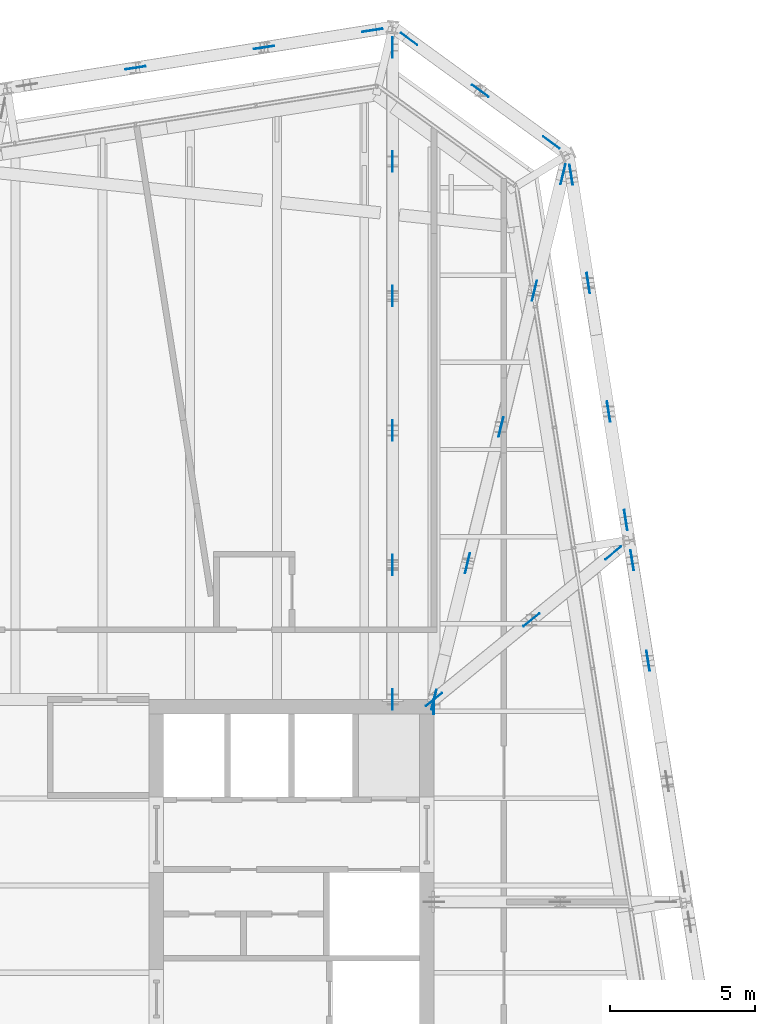
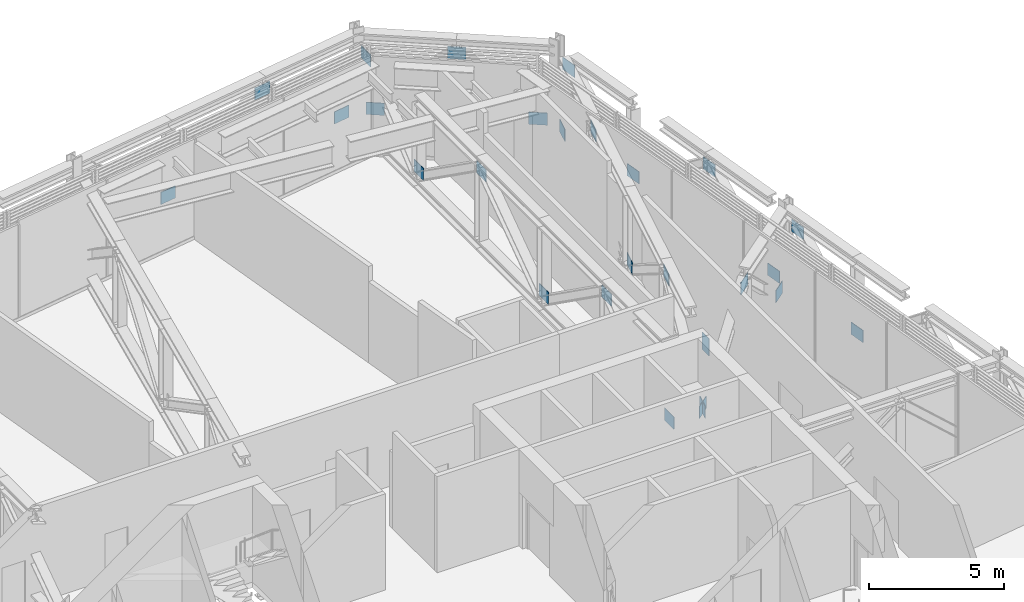
# One storey, part 30 of 32: 27 discrete accessories.
"""IFC4 building model written with IfcOpenShell, lengths in metres."""

from ifc_helpers import new_model, si_unit, direction, frame, origin, origin_2d, place, context, subcontext, project, spatial, rectangle, extrude, material, layer, layer_set, type_object, element, save


model = new_model("IFC4")

# Units and contexts
model_context = context("Model", 3, precision=1e-05, world=origin(), true_north=direction((0.0, 1.0)))
body_context = subcontext(model_context, "Body", "Model", "MODEL_VIEW")
ifc_project = project(units=[si_unit("LENGTHUNIT", "METRE"), si_unit("AREAUNIT", "SQUARE_METRE"), si_unit("VOLUMEUNIT", "CUBIC_METRE"), si_unit("PLANEANGLEUNIT", "RADIAN"), si_unit("MASSUNIT", "GRAM", prefix="KILO")], contexts=[model_context])

# Site, building, storey
site_placement = place(None, origin())
site = spatial("IfcSite", under=ifc_project, at=site_placement, CompositionType="ELEMENT")
building_placement = place(site_placement, origin())
building = spatial("IfcBuilding", under=site, at=building_placement, Name="Millrace Tower", CompositionType="ELEMENT")
storey_placement = place(building_placement, frame((0.0, 0.0, 266.89990234375)))
storey = spatial("IfcBuildingStorey", under=building, at=storey_placement, Name="L61", CompositionType="ELEMENT", Elevation=266.89990234375)

# Discrete accessories
ifc_material_1 = material(Name="Steel ASTM A572 Grade 50", Category="steel")
ifc_layer_1 = layer(ifc_material_1, 0.02490234375)
ifc_layer_set_1 = layer_set([ifc_layer_1], Name="Steel ASTM A572 Grade 50")
discrete_accessory_type_1 = type_object("IfcDiscreteAccessoryType", Name="Cast-in anchor plate 500x780x25", PredefinedType="ANCHORPLATE", material=ifc_layer_set_1)
discrete_accessory_1_placement = place(storey_placement, frame((14.375, 9.14990234375, 3.76513671875), z_axis=(1.0, 0.0, 0.0), x_axis=(0.0, 1.0, 0.0)))
element("IfcDiscreteAccessory", 1, at=discrete_accessory_1_placement, inside=storey, type_object=discrete_accessory_type_1, Name="Cast-in anchor plate BLT-L61-O08-V00", PredefinedType="ANCHORPLATE", context=body_context, shape_type="SweptSolid", body=[
    extrude(rectangle(XDim=0.5, YDim=0.780029296875, at=origin_2d()), origin(), (0.0, 0.0, 1.0), 0.02490234375),
])
ifc_material_2 = material(Name="Steel ASTM A572 Grade 50", Category="steel")
ifc_layer_2 = layer(ifc_material_2, 0.02490234375)
ifc_layer_set_2 = layer_set([ifc_layer_2], Name="Steel ASTM A572 Grade 50")
discrete_accessory_type_2 = type_object("IfcDiscreteAccessoryType", Name="Truss gusset plate 700x550x25", PredefinedType="BRACKET", material=ifc_layer_set_2)
for number, where, z_axis, x_axis, name in (
    (2, (21.708984375, 11.080810546875, 0.75), (0.156249124184, -0.987717677878, 0.0), (0.987717677878, 0.156249124184, 0.0), "Truss gusset plate BLT-L61-R07-D02 foot"),
    (3, (21.161376953125, 14.53759765625, 3.489990234375), (0.156589351913, -0.987663796475, 0.0), (0.987663796475, 0.156589351913, 0.0), "Truss gusset plate BLT-L61-R07-D03 head"),
    (4, (20.9423828125, 15.92041015625, 0.75), (0.156589351913, -0.987663796475, 0.0), (0.987663796475, 0.156589351913, 0.0), "Truss gusset plate BLT-L61-R08-D01 foot"),
    (5, (20.351806640625, 19.64990234375, 3.489990234375), (0.156249124184, -0.987717677878, 0.0), (0.987717677878, 0.156249124184, 0.0), "Truss gusset plate BLT-L61-R08-D01 head"),
    (6, (19.651611328125, 24.071044921875, 0.75), (0.156249124184, -0.987717677878, 0.0), (0.987717677878, 0.156249124184, 0.0), "Truss gusset plate BLT-L61-R08-D02 foot"),
    (7, (19.060791015625, 27.80078125, 3.489990234375), (0.156589351913, -0.987663796475, 0.0), (0.987663796475, 0.156589351913, 0.0), "Truss gusset plate BLT-L61-R08-D03 head"),
):
    element("IfcDiscreteAccessory", number, at=place(storey_placement, frame(where, z_axis=z_axis, x_axis=x_axis)), inside=storey, type_object=discrete_accessory_type_2, Name=name, PredefinedType="BRACKET", context=body_context, shape_type="SweptSolid", body=[
        extrude(rectangle(XDim=0.02490234375, YDim=0.550048828125, at=origin_2d()), origin(), (0.0, 0.0, 1.0), 0.699951171875),
    ])
discrete_accessory_2_placement = place(storey_placement, frame((18.156494140625, 28.763671875, 0.75), z_axis=(0.80894712746, -0.587881403835, 0.0), x_axis=(0.587881403835, 0.80894712746, 0.0)))
element("IfcDiscreteAccessory", 8, at=discrete_accessory_2_placement, inside=storey, type_object=discrete_accessory_type_2, Name="Truss gusset plate BLT-L61-R09-D01 foot", PredefinedType="BRACKET", context=body_context, shape_type="SweptSolid", body=[
    extrude(rectangle(XDim=0.02490234375, YDim=0.550048828125, at=origin_2d()), origin(), (0.0, 0.0, 1.0), 0.7001953125),
])
discrete_accessory_3_placement = place(storey_placement, frame((15.707275390625, 30.543212890625, 3.489990234375), z_axis=(0.808826569644, -0.588047260207, 0.0), x_axis=(0.588047260207, 0.808826569644, 0.0)))
element("IfcDiscreteAccessory", 9, at=discrete_accessory_3_placement, inside=storey, type_object=discrete_accessory_type_2, Name="Truss gusset plate BLT-L61-R09-D01 head", PredefinedType="BRACKET", context=body_context, shape_type="SweptSolid", body=[
    extrude(rectangle(XDim=0.02490234375, YDim=0.550048828125, at=origin_2d()), origin(), (0.0, 0.0, 1.0), 0.699951171875),
])
discrete_accessory_4_placement = place(storey_placement, frame((13.2578125, 32.32275390625, 0.75), z_axis=(0.80894712746, -0.587881403835, 0.0), x_axis=(0.587881403835, 0.80894712746, 0.0)))
element("IfcDiscreteAccessory", 10, at=discrete_accessory_4_placement, inside=storey, type_object=discrete_accessory_type_2, Name="Truss gusset plate BLT-L61-R09-D02 foot", PredefinedType="BRACKET", context=body_context, shape_type="SweptSolid", body=[
    extrude(rectangle(XDim=0.02490234375, YDim=0.550048828125, at=origin_2d()), origin(), (0.0, 0.0, 1.0), 0.7001953125),
])
for number, where, z_axis, x_axis, name in (
    (11, (11.9375, 32.3642578125, 0.75), (0.987717677878, 0.156249124184, 0.0), (-0.156249124184, 0.987717677878, 0.0), "Truss gusset plate BLT-L61-R10-D01 foot"),
    (12, (8.2080078125, 31.7734375, 3.489990234375), (0.987717677878, 0.156249124184, 0.0), (-0.156249124184, 0.987717677878, 0.0), "Truss gusset plate BLT-L61-R10-D01 head"),
    (13, (3.786865234375, 31.0732421875, 0.75), (0.987717677878, 0.156249124184, 0.0), (-0.156249124184, 0.987717677878, 0.0), "Truss gusset plate BLT-L61-R10-D02 foot"),
):
    element("IfcDiscreteAccessory", number, at=place(storey_placement, frame(where, z_axis=z_axis, x_axis=x_axis)), inside=storey, type_object=discrete_accessory_type_2, Name=name, PredefinedType="BRACKET", context=body_context, shape_type="SweptSolid", body=[
        extrude(rectangle(XDim=0.02490234375, YDim=0.550048828125, at=origin_2d()), origin(), (0.0, 0.0, 1.0), 0.699951171875),
    ])
for number, where, z_axis, x_axis, name in (
    (14, (14.12890625, 9.178466796875, 0.75), (0.774190311834, 0.632952890081, 0.0), (-0.632952890081, 0.774190311834, 0.0), "Truss gusset plate BLT-L61-O08-D01 foot"),
    (15, (17.482421875, 11.920166015625, 3.489990234375), (0.774190311834, 0.632952890081, 0.0), (-0.632952890081, 0.774190311834, 0.0), "Truss gusset plate BLT-L61-O08-D01 head"),
    (16, (20.293701171875, 14.21875, 0.75), (0.774190311834, 0.632952890081, 0.0), (-0.632952890081, 0.774190311834, 0.0), "Truss gusset plate BLT-L61-O08-D02 foot"),
    (17, (14.31640625, 9.06005859375, 0.75), (0.238513196177, 0.971139256363, 0.0), (-0.971139256363, 0.238513196177, 0.0), "Truss gusset plate BLT-L61-O09-D01 foot"),
    (18, (15.468017578125, 13.74658203125, 3.489990234375), (0.238513196177, 0.971139256363, 0.0), (-0.971139256363, 0.238513196177, 0.0), "Truss gusset plate BLT-L61-O09-D01 head"),
):
    element("IfcDiscreteAccessory", number, at=place(storey_placement, frame(where, z_axis=z_axis, x_axis=x_axis)), inside=storey, type_object=discrete_accessory_type_2, Name=name, PredefinedType="BRACKET", context=body_context, shape_type="SweptSolid", body=[
        extrude(rectangle(XDim=0.02490234375, YDim=0.550048828125, at=origin_2d()), origin(), (0.0, 0.0, 1.0), 0.7001953125),
    ])
discrete_accessory_5_placement = place(storey_placement, frame((16.619384765625, 18.433349609375, 0.75), z_axis=(0.238922915883, 0.971038536962, 0.0), x_axis=(-0.971038536962, 0.238922915883, 0.0)))
element("IfcDiscreteAccessory", 19, at=discrete_accessory_5_placement, inside=storey, type_object=discrete_accessory_type_2, Name="Truss gusset plate BLT-L61-O09-D02 foot", PredefinedType="BRACKET", context=body_context, shape_type="SweptSolid", body=[
    extrude(rectangle(XDim=0.02490234375, YDim=0.550048828125, at=origin_2d()), origin(), (0.0, 0.0, 1.0), 0.699951171875),
])
discrete_accessory_6_placement = place(storey_placement, frame((17.77099609375, 23.119873046875, 3.489990234375), z_axis=(0.238513196177, 0.971139256363, 0.0), x_axis=(-0.971139256363, 0.238513196177, 0.0)))
element("IfcDiscreteAccessory", 20, at=discrete_accessory_6_placement, inside=storey, type_object=discrete_accessory_type_2, Name="Truss gusset plate BLT-L61-O09-D03 head", PredefinedType="BRACKET", context=body_context, shape_type="SweptSolid", body=[
    extrude(rectangle(XDim=0.02490234375, YDim=0.550048828125, at=origin_2d()), origin(), (0.0, 0.0, 1.0), 0.7001953125),
])
for number, where, z_axis, x_axis, name in (
    (21, (18.755615234375, 27.126708984375, 0.75), (0.23859399274, 0.971119409047, 0.0), (-0.971119409047, 0.23859399274, 0.0), "Truss gusset plate BLT-L61-O09-D04 foot"),
    (22, (12.974609375, 9.050048828125, 0.75), (0.0, 1.0, 0.0), (-1.0, 0.0, 0.0), "Truss gusset plate BLT-L61-O10-D01 foot"),
    (23, (12.974609375, 13.67578125, 3.489990234375), (0.0, 1.0, 0.0), (-1.0, 0.0, 0.0), "Truss gusset plate BLT-L61-O10-D01 head"),
    (24, (12.974609375, 18.301513671875, 0.75), (0.0, 1.0, 0.0), (-1.0, 0.0, 0.0), "Truss gusset plate BLT-L61-O10-D02 foot"),
    (25, (12.974609375, 22.927001953125, 3.489990234375), (0.0, 1.0, 0.0), (-1.0, 0.0, 0.0), "Truss gusset plate BLT-L61-O10-D03 head"),
    (26, (12.974609375, 27.552734375, 0.75), (0.0, 1.0, 0.0), (-1.0, 0.0, 0.0), "Truss gusset plate BLT-L61-O10-D04 foot"),
    (27, (12.974609375, 31.478515625, 3.489990234375), (0.0, 1.0, 0.0), (-1.0, 0.0, 0.0), "Truss gusset plate BLT-L61-O10-D05 head"),
):
    element("IfcDiscreteAccessory", number, at=place(storey_placement, frame(where, z_axis=z_axis, x_axis=x_axis)), inside=storey, type_object=discrete_accessory_type_2, Name=name, PredefinedType="BRACKET", context=body_context, shape_type="SweptSolid", body=[
        extrude(rectangle(XDim=0.02490234375, YDim=0.550048828125, at=origin_2d()), origin(), (0.0, 0.0, 1.0), 0.699951171875),
    ])

save(model, "model.ifc")
